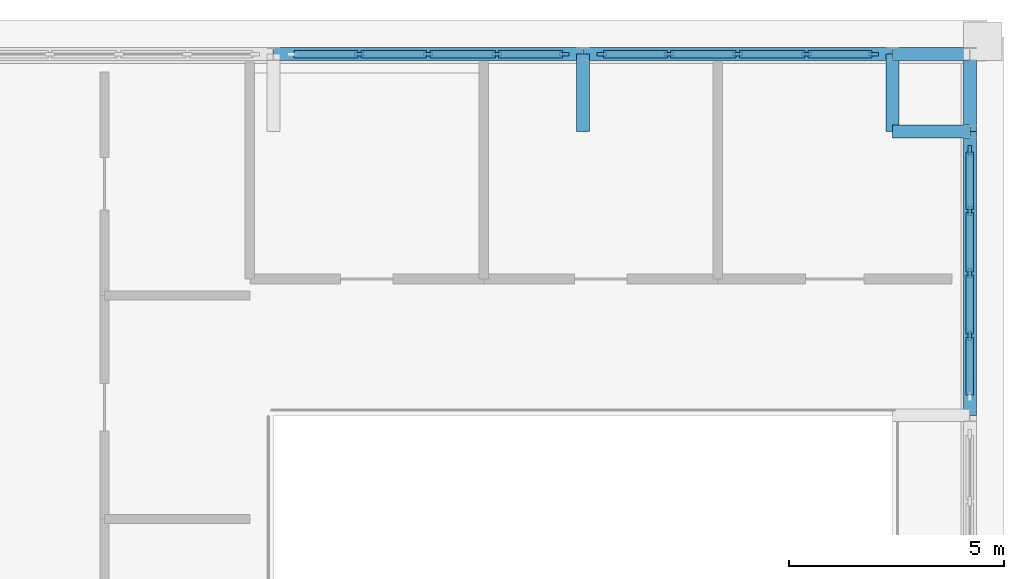
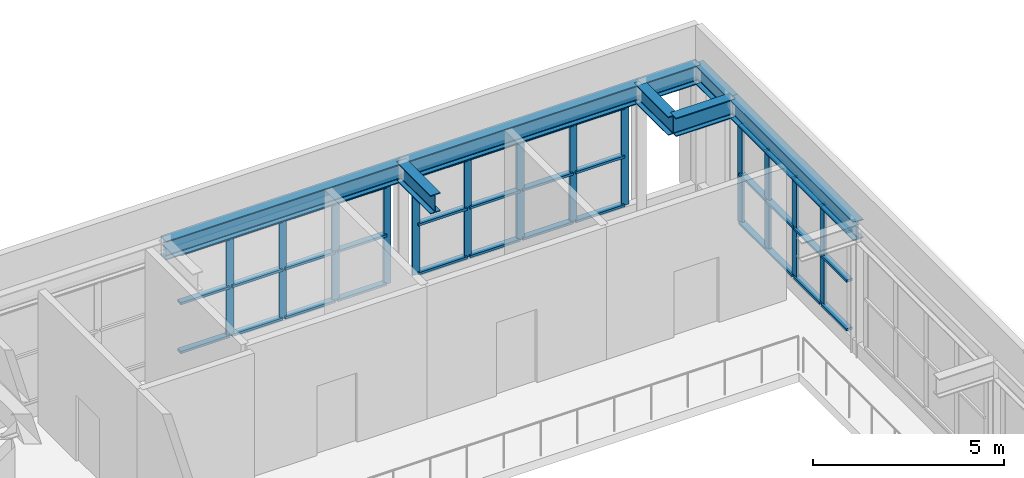
# One storey, part 10 of 18: 49 members, 8 beams, 3 elements without a shape of their own.
"""IFC4 building model written with IfcOpenShell, lengths in metres."""

from ifc_helpers import new_model, si_unit, direction, frame, origin, origin_2d, place, context, subcontext, project, spatial, rectangle, i_section, extrude, material, material_profile, profile_set, type_object, element, aggregate, save


model = new_model("IFC4")

# Units and contexts
model_context = context("Model", 3, precision=1e-05, world=origin(), true_north=direction((0.0, 1.0)))
body_context = subcontext(model_context, "Body", "Model", "MODEL_VIEW")
ifc_project = project(units=[si_unit("LENGTHUNIT", "METRE"), si_unit("AREAUNIT", "SQUARE_METRE"), si_unit("VOLUMEUNIT", "CUBIC_METRE"), si_unit("PLANEANGLEUNIT", "RADIAN"), si_unit("MASSUNIT", "GRAM", prefix="KILO")], contexts=[model_context])

# Site, building, storey
site_placement = place(None, origin())
site = spatial("IfcSite", under=ifc_project, at=site_placement, CompositionType="ELEMENT")
building_placement = place(site_placement, origin())
building = spatial("IfcBuilding", under=site, at=building_placement, Name="Mithqara Police Headquarters", CompositionType="ELEMENT")
storey_placement = place(building_placement, frame((0.0, 0.0, 30.89990234375)))
storey = spatial("IfcBuildingStorey", under=building, at=storey_placement, Name="L07", CompositionType="ELEMENT", Elevation=30.89990234375)

# Curtain wall, members
ifc_material_1 = material(Name="Bronze anodised aluminium 6063-T6", Category="aluminium")
curtain_wall_type_1 = type_object("IfcCurtainWallType", Name="CURTAIN WALL 5800X3200", PredefinedType="USERDEFINED", material=ifc_material_1)
curtain_wall_1_placement = place(storey_placement, origin())
curtain_wall_1 = element("IfcCurtainWall", 1, at=curtain_wall_1_placement, inside=storey, type_object=curtain_wall_type_1, Name="L07 Unitised Glazing CW-10 (CW-CUBE-L07-P0-E02-S0-04)", ObjectType="UNITISED GLAZING", PredefinedType="USERDEFINED")
ifc_material_profile_1 = material_profile(ifc_material_1, rectangle(XDim=0.074951171875, YDim=0.219970703125, at=origin_2d()), Name="CWM 75x220")
ifc_profile_set_1 = profile_set([ifc_material_profile_1], Name="Bronze anodised aluminium 6063-T6")
member_type_1 = type_object("IfcMemberType", Name="CWMULLION 75X220", PredefinedType="MULLION", material=ifc_profile_set_1)
member_1_placement = place(storey_placement, frame((168.0, 109.25, 0.4501953125), z_axis=(0.0, 0.0, 1.0), x_axis=(-1.0, 0.0, 0.0)))
member_1 = element("IfcMember", 2, at=member_1_placement, type_object=member_type_1, Name="CW-10 mullion 2", PredefinedType="MULLION", context=body_context, shape_type="SweptSolid", body=[
    extrude(rectangle(XDim=0.074951171875, YDim=0.219970703125, at=origin_2d()), origin(), (0.0, 0.0, 1.0), 3.199951171875),
])
member_2_placement = place(storey_placement, frame((168.0, 110.699951171875, 0.4501953125), z_axis=(0.0, 0.0, 1.0), x_axis=(-1.0, 0.0, 0.0)))
member_2 = element("IfcMember", 3, at=member_2_placement, type_object=member_type_1, Name="CW-10 mullion 3", PredefinedType="MULLION", context=body_context, shape_type="SweptSolid", body=[
    extrude(rectangle(XDim=0.074951171875, YDim=0.219970703125, at=origin_2d()), origin(), (0.0, 0.0, 1.0), 3.199951171875),
])
member_3_placement = place(storey_placement, frame((168.0, 112.14990234375, 0.4501953125), z_axis=(0.0, 0.0, 1.0), x_axis=(-1.0, 0.0, 0.0)))
member_3 = element("IfcMember", 4, at=member_3_placement, type_object=member_type_1, Name="CW-10 mullion 4", PredefinedType="MULLION", context=body_context, shape_type="SweptSolid", body=[
    extrude(rectangle(XDim=0.074951171875, YDim=0.219970703125, at=origin_2d()), origin(), (0.0, 0.0, 1.0), 3.199951171875),
])
member_4_placement = place(storey_placement, frame((168.0, 113.5625, 0.4501953125), z_axis=(0.0, 0.0, 1.0), x_axis=(-1.0, 0.0, 0.0)))
member_4 = element("IfcMember", 5, at=member_4_placement, type_object=member_type_1, Name="CW-10 mullion 5", PredefinedType="MULLION", context=body_context, shape_type="SweptSolid", body=[
    extrude(rectangle(XDim=0.074951171875, YDim=0.219970703125, at=origin_2d()), origin(), (0.0, 0.0, 1.0), 3.199951171875),
])

curtain_wall_type_2 = type_object("IfcCurtainWallType", Name="CURTAIN WALL 6400X3200", PredefinedType="USERDEFINED", material=ifc_material_1)
curtain_wall_2_placement = place(storey_placement, origin())
curtain_wall_2 = element("IfcCurtainWall", 6, at=curtain_wall_2_placement, inside=storey, type_object=curtain_wall_type_2, Name="L07 Unitised Glazing CW-09 (CW-CUBE-L07-P0-E03-S0-00)", ObjectType="UNITISED GLAZING", PredefinedType="USERDEFINED")
member_5_placement = place(storey_placement, frame((165.762451171875, 115.800048828125, 0.4501953125), z_axis=(0.0, 0.0, 1.0), x_axis=(0.0, -1.0, 0.0)))
member_5 = element("IfcMember", 7, at=member_5_placement, type_object=member_type_1, Name="CW-09 mullion 1", PredefinedType="MULLION", context=body_context, shape_type="SweptSolid", body=[
    extrude(rectangle(XDim=0.074951171875, YDim=0.219970703125, at=origin_2d()), origin(), (0.0, 0.0, 1.0), 3.199951171875),
])
member_6_placement = place(storey_placement, frame((164.199951171875, 115.800048828125, 0.4501953125), z_axis=(0.0, 0.0, 1.0), x_axis=(0.0, -1.0, 0.0)))
member_6 = element("IfcMember", 8, at=member_6_placement, type_object=member_type_1, Name="CW-09 mullion 2", PredefinedType="MULLION", context=body_context, shape_type="SweptSolid", body=[
    extrude(rectangle(XDim=0.074951171875, YDim=0.219970703125, at=origin_2d()), origin(), (0.0, 0.0, 1.0), 3.199951171875),
])
member_7_placement = place(storey_placement, frame((162.60009765625, 115.800048828125, 0.4501953125), z_axis=(0.0, 0.0, 1.0), x_axis=(0.0, -1.0, 0.0)))
member_7 = element("IfcMember", 9, at=member_7_placement, type_object=member_type_1, Name="CW-09 mullion 3", PredefinedType="MULLION", context=body_context, shape_type="SweptSolid", body=[
    extrude(rectangle(XDim=0.074951171875, YDim=0.219970703125, at=origin_2d()), origin(), (0.0, 0.0, 1.0), 3.199951171875),
])
member_8_placement = place(storey_placement, frame((161.0, 115.800048828125, 0.4501953125), z_axis=(0.0, 0.0, 1.0), x_axis=(0.0, -1.0, 0.0)))
member_8 = element("IfcMember", 10, at=member_8_placement, type_object=member_type_1, Name="CW-09 mullion 4", PredefinedType="MULLION", context=body_context, shape_type="SweptSolid", body=[
    extrude(rectangle(XDim=0.074951171875, YDim=0.219970703125, at=origin_2d()), origin(), (0.0, 0.0, 1.0), 3.199951171875),
])
member_9_placement = place(storey_placement, frame((159.4375, 115.800048828125, 0.4501953125), z_axis=(0.0, 0.0, 1.0), x_axis=(0.0, -1.0, 0.0)))
member_9 = element("IfcMember", 11, at=member_9_placement, type_object=member_type_1, Name="CW-09 mullion 5", PredefinedType="MULLION", context=body_context, shape_type="SweptSolid", body=[
    extrude(rectangle(XDim=0.074951171875, YDim=0.219970703125, at=origin_2d()), origin(), (0.0, 0.0, 1.0), 3.199951171875),
])

curtain_wall_3_placement = place(storey_placement, origin())
curtain_wall_3 = element("IfcCurtainWall", 12, at=curtain_wall_3_placement, inside=storey, type_object=curtain_wall_type_2, Name="L07 Unitised Glazing CW-09 (CW-CUBE-L07-P0-E03-S0-01)", ObjectType="UNITISED GLAZING", PredefinedType="USERDEFINED")
member_10_placement = place(storey_placement, frame((158.5625, 115.800048828125, 0.4501953125), z_axis=(0.0, 0.0, 1.0), x_axis=(0.0, -1.0, 0.0)))
member_10 = element("IfcMember", 13, at=member_10_placement, type_object=member_type_1, Name="CW-09 mullion 1", PredefinedType="MULLION", context=body_context, shape_type="SweptSolid", body=[
    extrude(rectangle(XDim=0.074951171875, YDim=0.219970703125, at=origin_2d()), origin(), (0.0, 0.0, 1.0), 3.199951171875),
])
member_11_placement = place(storey_placement, frame((157.0, 115.800048828125, 0.4501953125), z_axis=(0.0, 0.0, 1.0), x_axis=(0.0, -1.0, 0.0)))
member_11 = element("IfcMember", 14, at=member_11_placement, type_object=member_type_1, Name="CW-09 mullion 2", PredefinedType="MULLION", context=body_context, shape_type="SweptSolid", body=[
    extrude(rectangle(XDim=0.074951171875, YDim=0.219970703125, at=origin_2d()), origin(), (0.0, 0.0, 1.0), 3.199951171875),
])
member_12_placement = place(storey_placement, frame((155.39990234375, 115.800048828125, 0.4501953125), z_axis=(0.0, 0.0, 1.0), x_axis=(0.0, -1.0, 0.0)))
member_12 = element("IfcMember", 15, at=member_12_placement, type_object=member_type_1, Name="CW-09 mullion 3", PredefinedType="MULLION", context=body_context, shape_type="SweptSolid", body=[
    extrude(rectangle(XDim=0.074951171875, YDim=0.219970703125, at=origin_2d()), origin(), (0.0, 0.0, 1.0), 3.199951171875),
])
member_13_placement = place(storey_placement, frame((153.800048828125, 115.800048828125, 0.4501953125), z_axis=(0.0, 0.0, 1.0), x_axis=(0.0, -1.0, 0.0)))
member_13 = element("IfcMember", 16, at=member_13_placement, type_object=member_type_1, Name="CW-09 mullion 4", PredefinedType="MULLION", context=body_context, shape_type="SweptSolid", body=[
    extrude(rectangle(XDim=0.074951171875, YDim=0.219970703125, at=origin_2d()), origin(), (0.0, 0.0, 1.0), 3.199951171875),
])

# Member
ifc_material_profile_2 = material_profile(ifc_material_1, rectangle(XDim=0.179931640625, YDim=0.074951171875, at=origin_2d()), Name="CWT 180x75")
ifc_profile_set_2 = profile_set([ifc_material_profile_2], Name="Bronze anodised aluminium 6063-T6")
member_type_2 = type_object("IfcMemberType", Name="CWTRANSOM 180X75", PredefinedType="USERDEFINED", material=ifc_profile_set_2)
member_14_placement = place(storey_placement, frame((168.0, 107.875, 0.487548828125), z_axis=(0.0, 1.0, 0.0), x_axis=(-1.0, 0.0, 0.0)))
member_14 = element("IfcMember", 17, at=member_14_placement, type_object=member_type_2, Name="CW-10 transom 1.1", ObjectType="TRANSOM", PredefinedType="USERDEFINED", context=body_context, shape_type="SweptSolid", body=[
    extrude(rectangle(XDim=0.179931640625, YDim=0.074951171875, at=origin_2d()), origin(), (0.0, 0.0, 1.0), 1.33740234375),
])

member_15_placement = place(storey_placement, frame((168.0, 107.875, 2.050048828125), z_axis=(0.0, 1.0, 0.0), x_axis=(-1.0, 0.0, 0.0)))
member_15 = element("IfcMember", 18, at=member_15_placement, type_object=member_type_2, Name="CW-10 transom 1.2", ObjectType="TRANSOM", PredefinedType="USERDEFINED", context=body_context, shape_type="SweptSolid", body=[
    extrude(rectangle(XDim=0.179931640625, YDim=0.074951171875, at=origin_2d()), origin(), (0.0, 0.0, 1.0), 1.33740234375),
])

member_16_placement = place(storey_placement, frame((168.0, 107.875, 3.612548828125), z_axis=(0.0, 1.0, 0.0), x_axis=(-1.0, 0.0, 0.0)))
member_16 = element("IfcMember", 19, at=member_16_placement, type_object=member_type_2, Name="CW-10 transom 1.3", ObjectType="TRANSOM", PredefinedType="USERDEFINED", context=body_context, shape_type="SweptSolid", body=[
    extrude(rectangle(XDim=0.179931640625, YDim=0.074951171875, at=origin_2d()), origin(), (0.0, 0.0, 1.0), 1.33740234375),
])

member_17_placement = place(storey_placement, frame((168.0, 109.28759765625, 0.487548828125), z_axis=(0.0, 1.0, 0.0), x_axis=(-1.0, 0.0, 0.0)))
member_17 = element("IfcMember", 20, at=member_17_placement, type_object=member_type_2, Name="CW-10 transom 2.1", ObjectType="TRANSOM", PredefinedType="USERDEFINED", context=body_context, shape_type="SweptSolid", body=[
    extrude(rectangle(XDim=0.179931640625, YDim=0.074951171875, at=origin_2d()), origin(), (0.0, 0.0, 1.0), 1.375),
])

member_18_placement = place(storey_placement, frame((168.0, 109.28759765625, 2.050048828125), z_axis=(0.0, 1.0, 0.0), x_axis=(-1.0, 0.0, 0.0)))
member_18 = element("IfcMember", 21, at=member_18_placement, type_object=member_type_2, Name="CW-10 transom 2.2", ObjectType="TRANSOM", PredefinedType="USERDEFINED", context=body_context, shape_type="SweptSolid", body=[
    extrude(rectangle(XDim=0.179931640625, YDim=0.074951171875, at=origin_2d()), origin(), (0.0, 0.0, 1.0), 1.375),
])

member_19_placement = place(storey_placement, frame((168.0, 109.28759765625, 3.612548828125), z_axis=(0.0, 1.0, 0.0), x_axis=(-1.0, 0.0, 0.0)))
member_19 = element("IfcMember", 22, at=member_19_placement, type_object=member_type_2, Name="CW-10 transom 2.3", ObjectType="TRANSOM", PredefinedType="USERDEFINED", context=body_context, shape_type="SweptSolid", body=[
    extrude(rectangle(XDim=0.179931640625, YDim=0.074951171875, at=origin_2d()), origin(), (0.0, 0.0, 1.0), 1.375),
])

member_20_placement = place(storey_placement, frame((168.0, 110.737548828125, 0.487548828125), z_axis=(0.0, 1.0, 0.0), x_axis=(-1.0, 0.0, 0.0)))
member_20 = element("IfcMember", 23, at=member_20_placement, type_object=member_type_2, Name="CW-10 transom 3.1", ObjectType="TRANSOM", PredefinedType="USERDEFINED", context=body_context, shape_type="SweptSolid", body=[
    extrude(rectangle(XDim=0.179931640625, YDim=0.074951171875, at=origin_2d()), origin(), (0.0, 0.0, 1.0), 1.375),
])

member_21_placement = place(storey_placement, frame((168.0, 110.737548828125, 2.050048828125), z_axis=(0.0, 1.0, 0.0), x_axis=(-1.0, 0.0, 0.0)))
member_21 = element("IfcMember", 24, at=member_21_placement, type_object=member_type_2, Name="CW-10 transom 3.2", ObjectType="TRANSOM", PredefinedType="USERDEFINED", context=body_context, shape_type="SweptSolid", body=[
    extrude(rectangle(XDim=0.179931640625, YDim=0.074951171875, at=origin_2d()), origin(), (0.0, 0.0, 1.0), 1.375),
])

member_22_placement = place(storey_placement, frame((168.0, 110.737548828125, 3.612548828125), z_axis=(0.0, 1.0, 0.0), x_axis=(-1.0, 0.0, 0.0)))
member_22 = element("IfcMember", 25, at=member_22_placement, type_object=member_type_2, Name="CW-10 transom 3.3", ObjectType="TRANSOM", PredefinedType="USERDEFINED", context=body_context, shape_type="SweptSolid", body=[
    extrude(rectangle(XDim=0.179931640625, YDim=0.074951171875, at=origin_2d()), origin(), (0.0, 0.0, 1.0), 1.375),
])

member_23_placement = place(storey_placement, frame((168.0, 112.1875, 0.487548828125), z_axis=(0.0, 1.0, 0.0), x_axis=(-1.0, 0.0, 0.0)))
member_23 = element("IfcMember", 26, at=member_23_placement, type_object=member_type_2, Name="CW-10 transom 4.1", ObjectType="TRANSOM", PredefinedType="USERDEFINED", context=body_context, shape_type="SweptSolid", body=[
    extrude(rectangle(XDim=0.179931640625, YDim=0.074951171875, at=origin_2d()), origin(), (0.0, 0.0, 1.0), 1.33740234375),
])

member_24_placement = place(storey_placement, frame((168.0, 112.1875, 2.050048828125), z_axis=(0.0, 1.0, 0.0), x_axis=(-1.0, 0.0, 0.0)))
member_24 = element("IfcMember", 27, at=member_24_placement, type_object=member_type_2, Name="CW-10 transom 4.2", ObjectType="TRANSOM", PredefinedType="USERDEFINED", context=body_context, shape_type="SweptSolid", body=[
    extrude(rectangle(XDim=0.179931640625, YDim=0.074951171875, at=origin_2d()), origin(), (0.0, 0.0, 1.0), 1.33740234375),
])

member_25_placement = place(storey_placement, frame((168.0, 112.1875, 3.612548828125), z_axis=(0.0, 1.0, 0.0), x_axis=(-1.0, 0.0, 0.0)))
member_25 = element("IfcMember", 28, at=member_25_placement, type_object=member_type_2, Name="CW-10 transom 4.3", ObjectType="TRANSOM", PredefinedType="USERDEFINED", context=body_context, shape_type="SweptSolid", body=[
    extrude(rectangle(XDim=0.179931640625, YDim=0.074951171875, at=origin_2d()), origin(), (0.0, 0.0, 1.0), 1.33740234375),
])

aggregate(curtain_wall_1, [member_1, member_2, member_3, member_4, member_14, member_15, member_16, member_17, member_18, member_19, member_20, member_21, member_22, member_23, member_24, member_25])

member_26_placement = place(storey_placement, frame((165.72509765625, 115.800048828125, 0.487548828125), z_axis=(-1.0, 0.0, 0.0), x_axis=(0.0, -1.0, 0.0)))
member_26 = element("IfcMember", 29, at=member_26_placement, type_object=member_type_2, Name="CW-09 transom 1.1", ObjectType="TRANSOM", PredefinedType="USERDEFINED", context=body_context, shape_type="SweptSolid", body=[
    extrude(rectangle(XDim=0.179931640625, YDim=0.074951171875, at=origin_2d()), origin(), (0.0, 0.0, 1.0), 1.487548828125),
])

member_27_placement = place(storey_placement, frame((165.72509765625, 115.800048828125, 2.050048828125), z_axis=(-1.0, 0.0, 0.0), x_axis=(0.0, -1.0, 0.0)))
member_27 = element("IfcMember", 30, at=member_27_placement, type_object=member_type_2, Name="CW-09 transom 1.2", ObjectType="TRANSOM", PredefinedType="USERDEFINED", context=body_context, shape_type="SweptSolid", body=[
    extrude(rectangle(XDim=0.179931640625, YDim=0.074951171875, at=origin_2d()), origin(), (0.0, 0.0, 1.0), 1.487548828125),
])

member_28_placement = place(storey_placement, frame((165.72509765625, 115.800048828125, 3.612548828125), z_axis=(-1.0, 0.0, 0.0), x_axis=(0.0, -1.0, 0.0)))
member_28 = element("IfcMember", 31, at=member_28_placement, type_object=member_type_2, Name="CW-09 transom 1.3", ObjectType="TRANSOM", PredefinedType="USERDEFINED", context=body_context, shape_type="SweptSolid", body=[
    extrude(rectangle(XDim=0.179931640625, YDim=0.074951171875, at=origin_2d()), origin(), (0.0, 0.0, 1.0), 1.487548828125),
])

member_29_placement = place(storey_placement, frame((164.16259765625, 115.800048828125, 0.487548828125), z_axis=(-1.0, 0.0, 0.0), x_axis=(0.0, -1.0, 0.0)))
member_29 = element("IfcMember", 32, at=member_29_placement, type_object=member_type_2, Name="CW-09 transom 2.1", ObjectType="TRANSOM", PredefinedType="USERDEFINED", context=body_context, shape_type="SweptSolid", body=[
    extrude(rectangle(XDim=0.179931640625, YDim=0.074951171875, at=origin_2d()), origin(), (0.0, 0.0, 1.0), 1.525146484375),
])

member_30_placement = place(storey_placement, frame((164.16259765625, 115.800048828125, 2.050048828125), z_axis=(-1.0, 0.0, 0.0), x_axis=(0.0, -1.0, 0.0)))
member_30 = element("IfcMember", 33, at=member_30_placement, type_object=member_type_2, Name="CW-09 transom 2.2", ObjectType="TRANSOM", PredefinedType="USERDEFINED", context=body_context, shape_type="SweptSolid", body=[
    extrude(rectangle(XDim=0.179931640625, YDim=0.074951171875, at=origin_2d()), origin(), (0.0, 0.0, 1.0), 1.525146484375),
])

member_31_placement = place(storey_placement, frame((164.16259765625, 115.800048828125, 3.612548828125), z_axis=(-1.0, 0.0, 0.0), x_axis=(0.0, -1.0, 0.0)))
member_31 = element("IfcMember", 34, at=member_31_placement, type_object=member_type_2, Name="CW-09 transom 2.3", ObjectType="TRANSOM", PredefinedType="USERDEFINED", context=body_context, shape_type="SweptSolid", body=[
    extrude(rectangle(XDim=0.179931640625, YDim=0.074951171875, at=origin_2d()), origin(), (0.0, 0.0, 1.0), 1.525146484375),
])

member_32_placement = place(storey_placement, frame((162.5625, 115.800048828125, 0.487548828125), z_axis=(-1.0, 0.0, 0.0), x_axis=(0.0, -1.0, 0.0)))
member_32 = element("IfcMember", 35, at=member_32_placement, type_object=member_type_2, Name="CW-09 transom 3.1", ObjectType="TRANSOM", PredefinedType="USERDEFINED", context=body_context, shape_type="SweptSolid", body=[
    extrude(rectangle(XDim=0.179931640625, YDim=0.074951171875, at=origin_2d()), origin(), (0.0, 0.0, 1.0), 1.52490234375),
])

member_33_placement = place(storey_placement, frame((162.5625, 115.800048828125, 2.050048828125), z_axis=(-1.0, 0.0, 0.0), x_axis=(0.0, -1.0, 0.0)))
member_33 = element("IfcMember", 36, at=member_33_placement, type_object=member_type_2, Name="CW-09 transom 3.2", ObjectType="TRANSOM", PredefinedType="USERDEFINED", context=body_context, shape_type="SweptSolid", body=[
    extrude(rectangle(XDim=0.179931640625, YDim=0.074951171875, at=origin_2d()), origin(), (0.0, 0.0, 1.0), 1.52490234375),
])

member_34_placement = place(storey_placement, frame((162.5625, 115.800048828125, 3.612548828125), z_axis=(-1.0, 0.0, 0.0), x_axis=(0.0, -1.0, 0.0)))
member_34 = element("IfcMember", 37, at=member_34_placement, type_object=member_type_2, Name="CW-09 transom 3.3", ObjectType="TRANSOM", PredefinedType="USERDEFINED", context=body_context, shape_type="SweptSolid", body=[
    extrude(rectangle(XDim=0.179931640625, YDim=0.074951171875, at=origin_2d()), origin(), (0.0, 0.0, 1.0), 1.52490234375),
])

member_35_placement = place(storey_placement, frame((160.96240234375, 115.800048828125, 0.487548828125), z_axis=(-1.0, 0.0, 0.0), x_axis=(0.0, -1.0, 0.0)))
member_35 = element("IfcMember", 38, at=member_35_placement, type_object=member_type_2, Name="CW-09 transom 4.1", ObjectType="TRANSOM", PredefinedType="USERDEFINED", context=body_context, shape_type="SweptSolid", body=[
    extrude(rectangle(XDim=0.179931640625, YDim=0.074951171875, at=origin_2d()), origin(), (0.0, 0.0, 1.0), 1.4873046875),
])

member_36_placement = place(storey_placement, frame((160.96240234375, 115.800048828125, 2.050048828125), z_axis=(-1.0, 0.0, 0.0), x_axis=(0.0, -1.0, 0.0)))
member_36 = element("IfcMember", 39, at=member_36_placement, type_object=member_type_2, Name="CW-09 transom 4.2", ObjectType="TRANSOM", PredefinedType="USERDEFINED", context=body_context, shape_type="SweptSolid", body=[
    extrude(rectangle(XDim=0.179931640625, YDim=0.074951171875, at=origin_2d()), origin(), (0.0, 0.0, 1.0), 1.4873046875),
])

member_37_placement = place(storey_placement, frame((160.96240234375, 115.800048828125, 3.612548828125), z_axis=(-1.0, 0.0, 0.0), x_axis=(0.0, -1.0, 0.0)))
member_37 = element("IfcMember", 40, at=member_37_placement, type_object=member_type_2, Name="CW-09 transom 4.3", ObjectType="TRANSOM", PredefinedType="USERDEFINED", context=body_context, shape_type="SweptSolid", body=[
    extrude(rectangle(XDim=0.179931640625, YDim=0.074951171875, at=origin_2d()), origin(), (0.0, 0.0, 1.0), 1.4873046875),
])

aggregate(curtain_wall_2, [member_5, member_6, member_7, member_8, member_9, member_26, member_27, member_28, member_29, member_30, member_31, member_32, member_33, member_34, member_35, member_36, member_37])

member_38_placement = place(storey_placement, frame((158.52490234375, 115.800048828125, 0.487548828125), z_axis=(-1.0, 0.0, 0.0), x_axis=(0.0, -1.0, 0.0)))
member_38 = element("IfcMember", 41, at=member_38_placement, type_object=member_type_2, Name="CW-09 transom 1.1", ObjectType="TRANSOM", PredefinedType="USERDEFINED", context=body_context, shape_type="SweptSolid", body=[
    extrude(rectangle(XDim=0.179931640625, YDim=0.074951171875, at=origin_2d()), origin(), (0.0, 0.0, 1.0), 1.4873046875),
])

member_39_placement = place(storey_placement, frame((158.52490234375, 115.800048828125, 2.050048828125), z_axis=(-1.0, 0.0, 0.0), x_axis=(0.0, -1.0, 0.0)))
member_39 = element("IfcMember", 42, at=member_39_placement, type_object=member_type_2, Name="CW-09 transom 1.2", ObjectType="TRANSOM", PredefinedType="USERDEFINED", context=body_context, shape_type="SweptSolid", body=[
    extrude(rectangle(XDim=0.179931640625, YDim=0.074951171875, at=origin_2d()), origin(), (0.0, 0.0, 1.0), 1.4873046875),
])

member_40_placement = place(storey_placement, frame((158.52490234375, 115.800048828125, 3.612548828125), z_axis=(-1.0, 0.0, 0.0), x_axis=(0.0, -1.0, 0.0)))
member_40 = element("IfcMember", 43, at=member_40_placement, type_object=member_type_2, Name="CW-09 transom 1.3", ObjectType="TRANSOM", PredefinedType="USERDEFINED", context=body_context, shape_type="SweptSolid", body=[
    extrude(rectangle(XDim=0.179931640625, YDim=0.074951171875, at=origin_2d()), origin(), (0.0, 0.0, 1.0), 1.4873046875),
])

member_41_placement = place(storey_placement, frame((156.96240234375, 115.800048828125, 0.487548828125), z_axis=(-1.0, 0.0, 0.0), x_axis=(0.0, -1.0, 0.0)))
member_41 = element("IfcMember", 44, at=member_41_placement, type_object=member_type_2, Name="CW-09 transom 2.1", ObjectType="TRANSOM", PredefinedType="USERDEFINED", context=body_context, shape_type="SweptSolid", body=[
    extrude(rectangle(XDim=0.179931640625, YDim=0.074951171875, at=origin_2d()), origin(), (0.0, 0.0, 1.0), 1.52490234375),
])

member_42_placement = place(storey_placement, frame((156.96240234375, 115.800048828125, 2.050048828125), z_axis=(-1.0, 0.0, 0.0), x_axis=(0.0, -1.0, 0.0)))
member_42 = element("IfcMember", 45, at=member_42_placement, type_object=member_type_2, Name="CW-09 transom 2.2", ObjectType="TRANSOM", PredefinedType="USERDEFINED", context=body_context, shape_type="SweptSolid", body=[
    extrude(rectangle(XDim=0.179931640625, YDim=0.074951171875, at=origin_2d()), origin(), (0.0, 0.0, 1.0), 1.52490234375),
])

member_43_placement = place(storey_placement, frame((156.96240234375, 115.800048828125, 3.612548828125), z_axis=(-1.0, 0.0, 0.0), x_axis=(0.0, -1.0, 0.0)))
member_43 = element("IfcMember", 46, at=member_43_placement, type_object=member_type_2, Name="CW-09 transom 2.3", ObjectType="TRANSOM", PredefinedType="USERDEFINED", context=body_context, shape_type="SweptSolid", body=[
    extrude(rectangle(XDim=0.179931640625, YDim=0.074951171875, at=origin_2d()), origin(), (0.0, 0.0, 1.0), 1.52490234375),
])

member_44_placement = place(storey_placement, frame((155.362548828125, 115.800048828125, 0.487548828125), z_axis=(-1.0, 0.0, 0.0), x_axis=(0.0, -1.0, 0.0)))
member_44 = element("IfcMember", 47, at=member_44_placement, type_object=member_type_2, Name="CW-09 transom 3.1", ObjectType="TRANSOM", PredefinedType="USERDEFINED", context=body_context, shape_type="SweptSolid", body=[
    extrude(rectangle(XDim=0.179931640625, YDim=0.074951171875, at=origin_2d()), origin(), (0.0, 0.0, 1.0), 1.525146484375),
])

member_45_placement = place(storey_placement, frame((155.362548828125, 115.800048828125, 2.050048828125), z_axis=(-1.0, 0.0, 0.0), x_axis=(0.0, -1.0, 0.0)))
member_45 = element("IfcMember", 48, at=member_45_placement, type_object=member_type_2, Name="CW-09 transom 3.2", ObjectType="TRANSOM", PredefinedType="USERDEFINED", context=body_context, shape_type="SweptSolid", body=[
    extrude(rectangle(XDim=0.179931640625, YDim=0.074951171875, at=origin_2d()), origin(), (0.0, 0.0, 1.0), 1.525146484375),
])

member_46_placement = place(storey_placement, frame((155.362548828125, 115.800048828125, 3.612548828125), z_axis=(-1.0, 0.0, 0.0), x_axis=(0.0, -1.0, 0.0)))
member_46 = element("IfcMember", 49, at=member_46_placement, type_object=member_type_2, Name="CW-09 transom 3.3", ObjectType="TRANSOM", PredefinedType="USERDEFINED", context=body_context, shape_type="SweptSolid", body=[
    extrude(rectangle(XDim=0.179931640625, YDim=0.074951171875, at=origin_2d()), origin(), (0.0, 0.0, 1.0), 1.525146484375),
])

member_47_placement = place(storey_placement, frame((153.762451171875, 115.800048828125, 0.487548828125), z_axis=(-1.0, 0.0, 0.0), x_axis=(0.0, -1.0, 0.0)))
member_47 = element("IfcMember", 50, at=member_47_placement, type_object=member_type_2, Name="CW-09 transom 4.1", ObjectType="TRANSOM", PredefinedType="USERDEFINED", context=body_context, shape_type="SweptSolid", body=[
    extrude(rectangle(XDim=0.179931640625, YDim=0.074951171875, at=origin_2d()), origin(), (0.0, 0.0, 1.0), 1.487548828125),
])

member_48_placement = place(storey_placement, frame((153.762451171875, 115.800048828125, 2.050048828125), z_axis=(-1.0, 0.0, 0.0), x_axis=(0.0, -1.0, 0.0)))
member_48 = element("IfcMember", 51, at=member_48_placement, type_object=member_type_2, Name="CW-09 transom 4.2", ObjectType="TRANSOM", PredefinedType="USERDEFINED", context=body_context, shape_type="SweptSolid", body=[
    extrude(rectangle(XDim=0.179931640625, YDim=0.074951171875, at=origin_2d()), origin(), (0.0, 0.0, 1.0), 1.487548828125),
])

member_49_placement = place(storey_placement, frame((153.762451171875, 115.800048828125, 3.612548828125), z_axis=(-1.0, 0.0, 0.0), x_axis=(0.0, -1.0, 0.0)))
member_49 = element("IfcMember", 52, at=member_49_placement, type_object=member_type_2, Name="CW-09 transom 4.3", ObjectType="TRANSOM", PredefinedType="USERDEFINED", context=body_context, shape_type="SweptSolid", body=[
    extrude(rectangle(XDim=0.179931640625, YDim=0.074951171875, at=origin_2d()), origin(), (0.0, 0.0, 1.0), 1.487548828125),
])

aggregate(curtain_wall_3, [member_10, member_11, member_12, member_13, member_38, member_39, member_40, member_41, member_42, member_43, member_44, member_45, member_46, member_47, member_48, member_49])

# Beams
ifc_material_2 = material(Name="Steel S355JR", Category="steel")
ifc_material_profile_3 = material_profile(ifc_material_2, i_section(OverallWidth=0.300048828125, OverallDepth=0.60009765625, WebThickness=0.015380859375, FlangeThickness=0.030029296875, FilletRadius=0.027099609375, at=origin_2d()), Name="HEB 600")
ifc_profile_set_3 = profile_set([ifc_material_profile_3], Name="Steel S355JR")
beam_type = type_object("IfcBeamType", Name="TRANSFER HEB600", PredefinedType="BEAM", material=ifc_profile_set_3)
for number, where, z_axis, x_axis, name in (
    (53, (166.199951171875, 114.0, 3.9501953125), (1.0, 0.0, 0.0), (0.0, 1.0, 0.0), "L07 Command Cube Cantilever Transfer Girder Y-S"),
    (54, (159.0, 114.0, 3.9501953125), (0.0, 1.0, 0.0), (-1.0, 0.0, 0.0), "L07 Command Cube Cantilever Transfer Girder X-23"),
    (55, (166.199951171875, 114.0, 3.9501953125), (0.0, 1.0, 0.0), (-1.0, 0.0, 0.0), "L07 Command Cube Cantilever Transfer Girder X-24"),
):
    element("IfcBeam", number, at=place(storey_placement, frame(where, z_axis=z_axis, x_axis=x_axis)), inside=storey, type_object=beam_type, Name=name, PredefinedType="BEAM", context=body_context, shape_type="SweptSolid", body=[
        extrude(i_section(OverallWidth=0.300048828125, OverallDepth=0.60009765625, WebThickness=0.015380859375, FlangeThickness=0.030029296875, FilletRadius=0.027099609375, at=origin_2d()), origin(), (0.0, 0.0, 1.0), 1.800048828125),
    ])
beam_1_placement = place(storey_placement, frame((168.0, 107.39990234375, 3.9501953125), z_axis=(0.0, 1.0, 0.0), x_axis=(-1.0, 0.0, 0.0)))
element("IfcBeam", 56, at=beam_1_placement, inside=storey, type_object=beam_type, Name="L07 Command Cube East Ring Beam 5", PredefinedType="BEAM", context=body_context, shape_type="SweptSolid", body=[
    extrude(i_section(OverallWidth=0.300048828125, OverallDepth=0.60009765625, WebThickness=0.015380859375, FlangeThickness=0.030029296875, FilletRadius=0.027099609375, at=origin_2d()), origin(), (0.0, 0.0, 1.0), 6.60009765625),
])
beam_2_placement = place(storey_placement, frame((168.0, 114.0, 3.9501953125), z_axis=(0.0, 1.0, 0.0), x_axis=(-1.0, 0.0, 0.0)))
element("IfcBeam", 57, at=beam_2_placement, inside=storey, type_object=beam_type, Name="L07 Command Cube East Ring Beam 6", PredefinedType="BEAM", context=body_context, shape_type="SweptSolid", body=[
    extrude(i_section(OverallWidth=0.300048828125, OverallDepth=0.60009765625, WebThickness=0.015380859375, FlangeThickness=0.030029296875, FilletRadius=0.027099609375, at=origin_2d()), origin(), (0.0, 0.0, 1.0), 1.800048828125),
])
for number, where, z_axis, x_axis, name in (
    (58, (151.800048828125, 115.800048828125, 3.9501953125), (1.0, 0.0, 0.0), (0.0, 1.0, 0.0), "L07 Command Cube North Ring Beam 2"),
    (59, (159.0, 115.800048828125, 3.9501953125), (1.0, 0.0, 0.0), (0.0, 1.0, 0.0), "L07 Command Cube North Ring Beam 3"),
):
    element("IfcBeam", number, at=place(storey_placement, frame(where, z_axis=z_axis, x_axis=x_axis)), inside=storey, type_object=beam_type, Name=name, PredefinedType="BEAM", context=body_context, shape_type="SweptSolid", body=[
        extrude(i_section(OverallWidth=0.300048828125, OverallDepth=0.60009765625, WebThickness=0.015380859375, FlangeThickness=0.030029296875, FilletRadius=0.027099609375, at=origin_2d()), origin(), (0.0, 0.0, 1.0), 7.199951171875),
    ])
beam_3_placement = place(storey_placement, frame((166.199951171875, 115.800048828125, 3.9501953125), z_axis=(1.0, 0.0, 0.0), x_axis=(0.0, 1.0, 0.0)))
element("IfcBeam", 60, at=beam_3_placement, inside=storey, type_object=beam_type, Name="L07 Command Cube North Ring Beam 4", PredefinedType="BEAM", context=body_context, shape_type="SweptSolid", body=[
    extrude(i_section(OverallWidth=0.300048828125, OverallDepth=0.60009765625, WebThickness=0.015380859375, FlangeThickness=0.030029296875, FilletRadius=0.027099609375, at=origin_2d()), origin(), (0.0, 0.0, 1.0), 1.800048828125),
])

save(model, "model.ifc")
